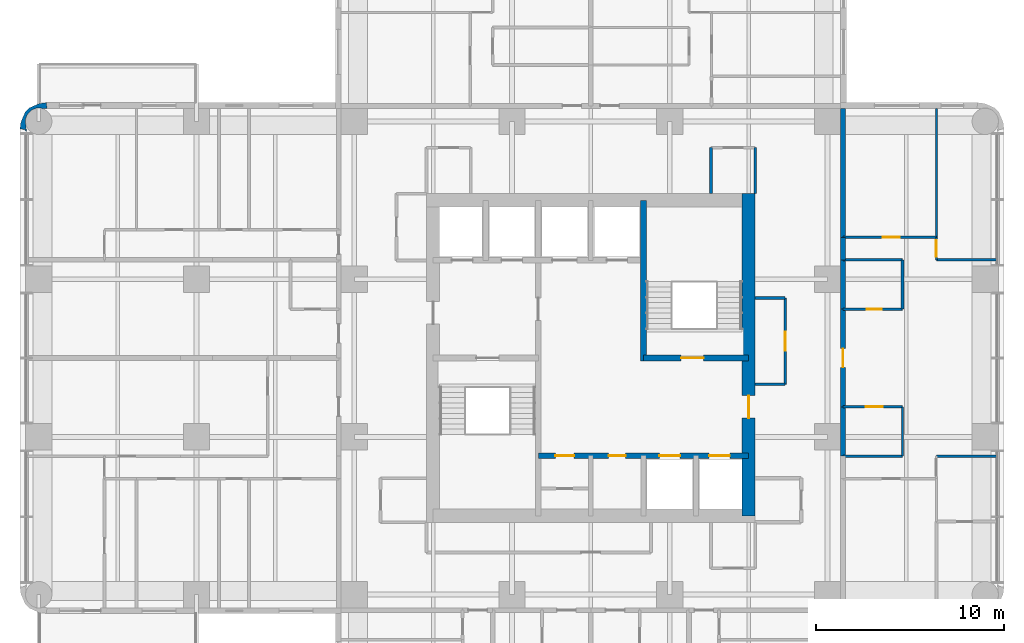
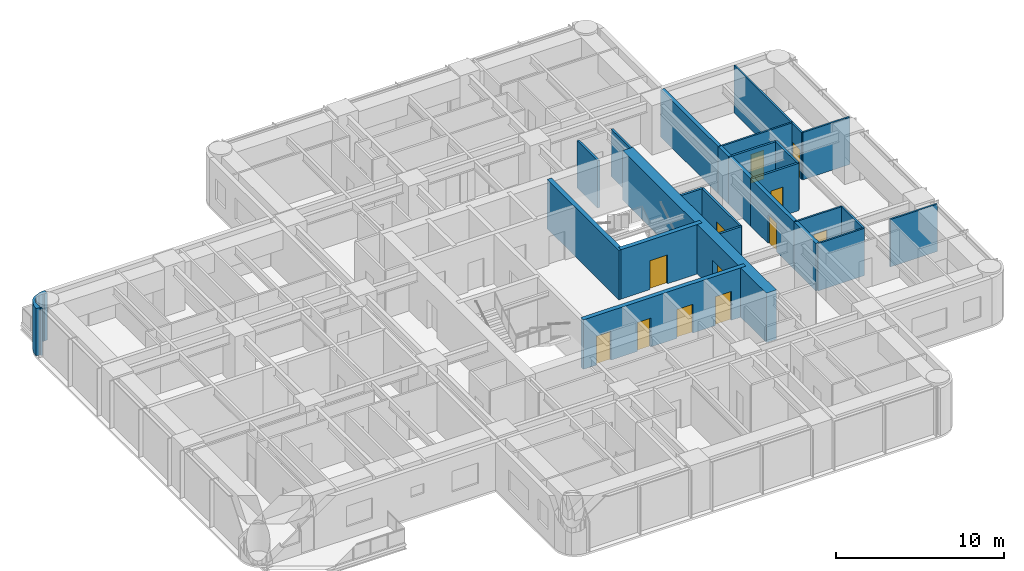
# One storey, part 8 of 11: 26 walls, 12 doors, 12 openings.
"""IFC4 building model written with IfcOpenShell, lengths in metres."""

import ifcopenshell
import ifcopenshell.guid

model = None  # the IFC model being written
_history = None  # IfcOwnerHistory: only IFC2X3 demands one
_inside = {}  # id of a spatial element -> (the spatial element, [elements in it])
_under = {}  # id of a project, library or spatial element -> (it, [spatial elements below it])
_declared = {}  # id of a project -> (the project, [libraries it declares])
_typed = {}  # id of a type object -> (the type object, [elements of that type])
_made_of = {}  # id of a material, layer set ... -> (it, [elements and type objects made of it])


def new_model(schema):
    """Start an empty IFC model of exactly this schema.

    Asked for "IFC4X3", IfcOpenShell would pick the latest addendum, in which some entities
    have other attributes; the version numbers below select the first issue.
    IFC2X3 requires an IfcOwnerHistory on every rooted entity: one is made here for all.
    """
    global model, _history
    if schema == "IFC4X3":
        model = ifcopenshell.file(schema_version=(4, 3, 0, 0))
    else:
        model = ifcopenshell.file(schema=schema)
    _inside.clear()
    _under.clear()
    _declared.clear()
    _typed.clear()
    _made_of.clear()
    _history = None
    if model.schema == "IFC2X3":
        org = make("IfcOrganization", Name="unknown")
        user = make(
            "IfcPersonAndOrganization",
            ThePerson=make("IfcPerson", FamilyName="unknown"),
            TheOrganization=org,
        )
        app = make(
            "IfcApplication",
            ApplicationDeveloper=org,
            Version="unknown",
            ApplicationFullName="unknown",
            ApplicationIdentifier="unknown",
        )
        _history = make(
            "IfcOwnerHistory",
            OwningUser=user,
            OwningApplication=app,
            ChangeAction="ADDED",
            CreationDate=0,
        )
    return model


def make(cls, **values):
    """One entity of the class cls with the attributes given. An attribute that is None is left unset."""
    return model.create_entity(
        cls, **{name: value for name, value in values.items() if value is not None}
    )


def rooted(cls, **values):
    """An entity with a GlobalId (a new one), such as an element, a storey or a relation."""
    return make(cls, GlobalId=ifcopenshell.guid.new(), OwnerHistory=_history, **values)


def si_unit(unit_type, name, prefix=None):
    """IfcSIUnit, for example si_unit("LENGTHUNIT", "METRE", prefix="MILLI")."""
    return make("IfcSIUnit", UnitType=unit_type, Prefix=prefix, Name=name)


def assignment(units):
    """IfcUnitAssignment: the units of a project."""
    return None if units is None else make("IfcUnitAssignment", Units=units)


def point(xyz):
    """IfcCartesianPoint."""
    return None if xyz is None else make("IfcCartesianPoint", Coordinates=xyz)


def direction(xyz):
    """IfcDirection."""
    return None if xyz is None else make("IfcDirection", DirectionRatios=xyz)


def frame(location, z_axis=None, x_axis=None):
    """IfcAxis2Placement3D, a coordinate frame: its origin and axes. An axis left out is left unset."""
    return make(
        "IfcAxis2Placement3D",
        Location=point(location),
        Axis=direction(z_axis),
        RefDirection=direction(x_axis),
    )


def frame_2d(location, x_axis=None):
    """IfcAxis2Placement2D, a coordinate frame in the plane: its origin and x axis."""
    return make(
        "IfcAxis2Placement2D", Location=point(location), RefDirection=direction(x_axis)
    )


def origin():
    """The frame at (0, 0, 0) with its axes left unset."""
    return frame((0.0, 0.0, 0.0))


def place(relative_to, where):
    """IfcLocalPlacement: puts the frame where relative to a parent placement (None: the world)."""
    return make(
        "IfcLocalPlacement", PlacementRelTo=relative_to, RelativePlacement=where
    )


def context(
    kind, dimensions, precision=None, world=None, true_north=None, identifier=None
):
    """IfcGeometricRepresentationContext, for example the 3D "Model" context."""
    return make(
        "IfcGeometricRepresentationContext",
        ContextIdentifier=identifier,
        ContextType=kind,
        CoordinateSpaceDimension=dimensions,
        Precision=precision,
        WorldCoordinateSystem=world,
        TrueNorth=true_north,
    )


def subcontext(parent, identifier, kind, view, scale=None):
    """IfcGeometricRepresentationSubContext, for example "Body" below "Model"."""
    return make(
        "IfcGeometricRepresentationSubContext",
        ContextIdentifier=identifier,
        ContextType=kind,
        ParentContext=parent,
        TargetScale=scale,
        TargetView=view,
    )


def project(units=None, contexts=None):
    """IfcProject with its units and contexts."""
    return rooted(
        "IfcProject",
        Name="project",
        RepresentationContexts=contexts,
        UnitsInContext=assignment(units),
    )


def spatial(cls, under=None, at=None, **own):
    """A site, building, storey or space (cls), placed at a placement, below another one or the project."""
    s = rooted(cls, ObjectPlacement=at, **own)
    if under is not None:
        _under.setdefault(under.id(), (under, []))[1].append(s)
    return s


def polyline(points):
    """IfcPolyline through the points."""
    return make("IfcPolyline", Points=[point(p) for p in points])


def profile(cls, at=None, kind="AREA", **sizes):
    """A parametric profile (cls). Its sizes go by their IFC names, for example OverallWidth=200.0."""
    return make(cls, ProfileType=kind, Position=at, **sizes)


def rectangle(**sizes):
    """IfcRectangleProfileDef."""
    return profile("IfcRectangleProfileDef", **sizes)


def outline(outer, holes=None, kind="AREA"):
    """IfcArbitraryClosedProfileDef: a profile drawn as a closed curve; with holes, ...WithVoids."""
    if holes is None:
        return make("IfcArbitraryClosedProfileDef", ProfileType=kind, OuterCurve=outer)
    return make(
        "IfcArbitraryProfileDefWithVoids",
        ProfileType=kind,
        OuterCurve=outer,
        InnerCurves=holes,
    )


def extrude(swept, where, along, depth):
    """IfcExtrudedAreaSolid: the profile swept, set in the frame where, extruded along a direction by depth."""
    return make(
        "IfcExtrudedAreaSolid",
        SweptArea=swept,
        Position=where,
        ExtrudedDirection=direction(along),
        Depth=depth,
    )


def shape(context_of_items, identifier, shape_type, items):
    """IfcShapeRepresentation: the items that make up one representation, for example the "Body"."""
    return make(
        "IfcShapeRepresentation",
        ContextOfItems=context_of_items,
        RepresentationIdentifier=identifier,
        RepresentationType=shape_type,
        Items=items,
    )


def material(Name=None, Category=None):
    """IfcMaterial."""
    return make("IfcMaterial", Name=Name, Category=Category)


def layer(
    of_material, thickness, ventilated=None, Name=None, Category=None, Priority=None
):
    """IfcMaterialLayer: one layer of a wall or slab, of a material (None: an air gap)."""
    return make(
        "IfcMaterialLayer",
        Material=of_material,
        LayerThickness=thickness,
        IsVentilated=ventilated,
        Name=Name,
        Category=Category,
        Priority=Priority,
    )


def layer_set(layers, Name=None):
    """IfcMaterialLayerSet."""
    return make("IfcMaterialLayerSet", MaterialLayers=layers, LayerSetName=Name)


def made_of(thing, what):
    """Note that an element or type object is made of a material, layer set ...; save() writes the relation."""
    if what is not None:
        _made_of.setdefault(what.id(), (what, []))[1].append(thing)
    return thing


def type_object(cls, material=None, **own):
    """A type object (cls), such as IfcWallType, which elements share."""
    return made_of(rooted(cls, **own), material)


def element(
    cls,
    number,
    at=None,
    inside=None,
    cuts=None,
    type_object=None,
    material=None,
    context=None,
    identifier="Body",
    shape_type=None,
    held_by="IfcProductDefinitionShape",
    body=None,
    shapes=None,
    **own,
):
    """One element of the class cls, such as IfcWall. Its Tag is "e" and its number.

    at: its placement. inside: the storey or other place that contains it. cuts: it is an
    opening in that element (IfcRelVoidsElement). A single representation is given by context,
    identifier, shape_type and body (its items); several are given by shapes. held_by: the class
    of the entity that holds the representations. save() writes the other relations.
    """
    e = rooted(cls, Tag="e%d" % number, ObjectPlacement=at, **own)
    if body is not None:
        shapes = [shape(context, identifier, shape_type, body)]
    if shapes is not None:
        e.Representation = make(held_by, Representations=shapes)
    if inside is not None:
        _inside.setdefault(inside.id(), (inside, []))[1].append(e)
    if cuts is not None:
        rooted(
            "IfcRelVoidsElement", RelatingBuildingElement=cuts, RelatedOpeningElement=e
        )
    if type_object is not None:
        _typed.setdefault(type_object.id(), (type_object, []))[1].append(e)
    return made_of(e, material)


def fill(opening, filler):
    """IfcRelFillsElement: the door or window that sits in an opening."""
    return rooted(
        "IfcRelFillsElement",
        RelatingOpeningElement=opening,
        RelatedBuildingElement=filler,
    )


def aggregate(whole, parts):
    """IfcRelAggregates: a whole, such as a stair, and the parts it consists of."""
    return rooted("IfcRelAggregates", RelatingObject=whole, RelatedObjects=parts)


def save(model, path):
    """Write the relations noted so far, then the file.

    IfcRelAggregates (storeys below a building ...), IfcRelContainedInSpatialStructure (elements
    in a storey), IfcRelDefinesByType, IfcRelAssociatesMaterial and IfcRelDeclares: one each for
    every whole, place, type object, material and project.
    """
    for whole, parts in _under.values():
        aggregate(whole, parts)
    for where, things in _inside.values():
        rooted(
            "IfcRelContainedInSpatialStructure",
            RelatedElements=things,
            RelatingStructure=where,
        )
    for kind, things in _typed.values():
        rooted("IfcRelDefinesByType", RelatedObjects=things, RelatingType=kind)
    for what, things in _made_of.values():
        rooted("IfcRelAssociatesMaterial", RelatedObjects=things, RelatingMaterial=what)
    for by, libraries in _declared.values():
        rooted("IfcRelDeclares", RelatingContext=by, RelatedDefinitions=libraries)
    model.write(path)


model = new_model("IFC4")

# Units and contexts
model_context = context("Model", 3, precision=1e-05, world=origin(), true_north=direction((0.0, 1.0)))
body_context = subcontext(model_context, "Body", "Model", "MODEL_VIEW")
ifc_project = project(units=[si_unit("LENGTHUNIT", "METRE"), si_unit("AREAUNIT", "SQUARE_METRE"), si_unit("VOLUMEUNIT", "CUBIC_METRE"), si_unit("PLANEANGLEUNIT", "RADIAN"), si_unit("MASSUNIT", "GRAM", prefix="KILO")], contexts=[model_context])

# Site, building, storey
site_placement = place(None, origin())
site = spatial("IfcSite", under=ifc_project, at=site_placement, CompositionType="ELEMENT")
building_placement = place(site_placement, origin())
building = spatial("IfcBuilding", under=site, at=building_placement, Name="Torre Alcanfor", CompositionType="ELEMENT")
storey_placement = place(building_placement, frame((0.0, 0.0, 233.699951171875)))
storey = spatial("IfcBuildingStorey", under=building, at=storey_placement, Name="L61", CompositionType="ELEMENT", Elevation=233.699951171875)

# Wall, opening, door
ifc_material_1 = material(Name="Concrete block masonry, hollow blocks NMX-C-404 9 MPa", Category="masonry")
ifc_layer_1 = layer(ifc_material_1, 0.25)
ifc_layer_set_1 = layer_set([ifc_layer_1], Name="Apartment entrance wall 250 EI 60")
wall_type_1 = type_object("IfcWallType", Name="Apartment entrance wall 250 EI 60", PredefinedType="PARTITIONING", material=ifc_layer_set_1)
wall_1_placement = place(storey_placement, frame((42.824951171875, 32.0, 0.0), z_axis=(0.0, 0.0, 1.0), x_axis=(0.0, -1.0, 0.0)))
wall_1 = element("IfcWall", 1, at=wall_1_placement, inside=storey, type_object=wall_type_1, Name="Partition L61-CORR / L61-EX-ZAG", PredefinedType="PARTITIONING", context=body_context, shape_type="SweptSolid", body=[
    extrude(rectangle(XDim=5.199951171875, YDim=0.25, at=frame_2d((2.60009765625, 0.0))), origin(), (0.0, 0.0, 1.0), 3.449951171875),
])
opening_1_placement = place(wall_1_placement, frame((2.10009765625, 0.0, 0.0)))
opening_1 = element("IfcOpeningElement", 2, at=opening_1_placement, cuts=wall_1, Name="Opening D-A1", PredefinedType="OPENING", context=body_context, shape_type="SweptSolid", body=[
    extrude(rectangle(XDim=1.0, YDim=2.10009765625, at=frame_2d((0.5, 1.050048828125))), frame((0.0, 0.135009765625, 0.0), z_axis=(0.0, -1.0, 0.0), x_axis=(1.0, 0.0, 0.0)), (0.0, 0.0, 1.0), 0.27001953125),
])
ifc_material_2 = material(Name="Galvanised steel sheet ASTM A653", Category="steel")
door_type_1 = type_object("IfcDoorType", Name="Apartment entrance door FD60 1000x2100", OperationType="SINGLE_SWING_LEFT", PredefinedType="DOOR", material=ifc_material_2)
door_1_placement = place(opening_1_placement, origin())
door_1 = element("IfcDoor", 3, at=door_1_placement, inside=storey, type_object=door_type_1, Name="Apartment entrance L61-EX", OperationType="SINGLE_SWING_LEFT", OverallHeight=2.10009765625, OverallWidth=1.0, PredefinedType="DOOR", context=body_context, shape_type="SweptSolid", body=[
    extrude(rectangle(XDim=1.0, YDim=2.10009765625, at=frame_2d((0.5, 1.050048828125))), frame((0.0, 0.02490234375, 0.0), z_axis=(0.0, -1.0, 0.0), x_axis=(1.0, 0.0, 0.0)), (0.0, 0.0, 1.0), 0.050048828125),
])
fill(opening_1, door_1)

# Walls
wall_2_placement = place(storey_placement, frame((42.824951171875, 34.62890625, 0.0), z_axis=(0.0, 0.0, 1.0), x_axis=(0.0, -1.0, 0.0)))
element("IfcWall", 4, at=wall_2_placement, inside=storey, type_object=wall_type_1, Name="Partition L61-CORR / L61-EX-BATH2", PredefinedType="PARTITIONING", context=body_context, shape_type="SweptSolid", body=[
    extrude(rectangle(XDim=2.62890625, YDim=0.25, at=frame_2d((1.314453125, 0.0))), origin(), (0.0, 0.0, 1.0), 3.449951171875),
])
wall_3_placement = place(storey_placement, frame((42.824951171875, 26.800048828125, 0.0), z_axis=(0.0, 0.0, 1.0), x_axis=(0.0, -1.0, 0.0)))
element("IfcWall", 5, at=wall_3_placement, inside=storey, type_object=wall_type_1, Name="Partition L61-CORR / L61-EX-KITCHEN", PredefinedType="PARTITIONING", context=body_context, shape_type="SweptSolid", body=[
    extrude(rectangle(XDim=2.629150390625, YDim=0.25, at=frame_2d((1.314453125, 0.0))), origin(), (0.0, 0.0, 1.0), 3.449951171875),
])
wall_4_placement = place(storey_placement, frame((42.824951171875, 35.8291015625, 0.0), z_axis=(0.0, 0.0, 1.0), x_axis=(0.0, -1.0, 0.0)))
element("IfcWall", 6, at=wall_4_placement, inside=storey, type_object=wall_type_1, Name="Partition L61-CORR / L61-EX-LIVING", PredefinedType="PARTITIONING", context=body_context, shape_type="SweptSolid", body=[
    extrude(rectangle(XDim=1.2001953125, YDim=0.25, at=frame_2d((0.60009765625, 0.0))), origin(), (0.0, 0.0, 1.0), 3.449951171875),
])
wall_5_placement = place(storey_placement, frame((42.824951171875, 42.699951171875, 0.0), z_axis=(0.0, 0.0, 1.0), x_axis=(0.0, -1.0, 0.0)))
element("IfcWall", 7, at=wall_5_placement, inside=storey, type_object=wall_type_1, Name="Partition L61-CORR / L61-EX-BED2", PredefinedType="PARTITIONING", context=body_context, shape_type="SweptSolid", body=[
    extrude(rectangle(XDim=6.870849609375, YDim=0.25, at=frame_2d((3.435546875, 0.0))), origin(), (0.0, 0.0, 1.0), 3.449951171875),
])

# Wall, opening, door
ifc_material_3 = material(Name="Gypsum board on steel studs", Category="steel")
ifc_layer_2 = layer(ifc_material_3, 0.1201171875)
ifc_layer_set_2 = layer_set([ifc_layer_2], Name="Apartment partition 120")
wall_type_2 = type_object("IfcWallType", Name="Apartment partition 120", PredefinedType="PARTITIONING", material=ifc_layer_set_2)
wall_6_placement = place(storey_placement, frame((42.824951171875, 26.800048828125, 0.0), z_axis=(0.0, 0.0, 1.0), x_axis=(1.0, 0.0, 0.0)))
wall_6 = element("IfcWall", 8, at=wall_6_placement, inside=storey, type_object=wall_type_2, Name="Partition L61-EX-ZAG / L61-EX-KITCHEN", PredefinedType="PARTITIONING", context=body_context, shape_type="SweptSolid", body=[
    extrude(rectangle(XDim=3.175048828125, YDim=0.1201171875, at=frame_2d((1.58740234375, 0.0))), origin(), (0.0, 0.0, 1.0), 3.449951171875),
])
opening_2_placement = place(wall_6_placement, frame((1.22509765625, 0.0, 0.0)))
opening_2 = element("IfcOpeningElement", 9, at=opening_2_placement, cuts=wall_6, Name="Opening D-R1", PredefinedType="OPENING", context=body_context, shape_type="SweptSolid", body=[
    extrude(rectangle(XDim=0.89990234375, YDim=2.10009765625, at=frame_2d((0.449951171875, 1.050048828125))), frame((0.0, 0.070068359375, 0.0), z_axis=(0.0, -1.0, 0.0), x_axis=(1.0, 0.0, 0.0)), (0.0, 0.0, 1.0), 0.14013671875),
])
ifc_material_4 = material(Name="Timber", Category="wood")
door_type_2 = type_object("IfcDoorType", Name="Internal door 900x2100", OperationType="SINGLE_SWING_LEFT", PredefinedType="DOOR", material=ifc_material_4)
door_2_placement = place(opening_2_placement, frame((0.89990234375, 0.0, 0.0), z_axis=(0.0, 0.0, 1.0), x_axis=(-1.0, 0.0, 0.0)))
door_2 = element("IfcDoor", 10, at=door_2_placement, inside=storey, type_object=door_type_2, Name="Door L61-EX kitchen", OperationType="SINGLE_SWING_LEFT", OverallHeight=2.10009765625, OverallWidth=0.89990234375, PredefinedType="DOOR", context=body_context, shape_type="SweptSolid", body=[
    extrude(rectangle(XDim=0.89990234375, YDim=2.10009765625, at=frame_2d((0.449951171875, 1.050048828125))), frame((0.0, 0.025146484375, 0.0), z_axis=(0.0, -1.0, 0.0), x_axis=(1.0, 0.0, 0.0)), (0.0, 0.0, 1.0), 0.050048828125),
])
fill(opening_2, door_2)

# Walls
wall_7_placement = place(storey_placement, frame((42.824951171875, 24.1708984375, 0.0), z_axis=(0.0, 0.0, 1.0), x_axis=(1.0, 0.0, 0.0)))
element("IfcWall", 11, at=wall_7_placement, inside=storey, type_object=wall_type_2, Name="Partition L61-EX-KITCHEN / L61-EX-LIVING", PredefinedType="PARTITIONING", context=body_context, shape_type="SweptSolid", body=[
    extrude(rectangle(XDim=3.175048828125, YDim=0.1201171875, at=frame_2d((1.58740234375, 0.0))), origin(), (0.0, 0.0, 1.0), 3.449951171875),
])
wall_8_placement = place(storey_placement, frame((46.0, 24.1708984375, 0.0), z_axis=(0.0, 0.0, 1.0), x_axis=(0.0, 1.0, 0.0)))
element("IfcWall", 12, at=wall_8_placement, inside=storey, type_object=wall_type_2, Name="Partition L61-EX-KITCHEN / L61-EX-LIVING", PredefinedType="PARTITIONING", context=body_context, shape_type="SweptSolid", body=[
    extrude(rectangle(XDim=2.629150390625, YDim=0.1201171875, at=frame_2d((1.314453125, 0.0))), origin(), (0.0, 0.0, 1.0), 3.449951171875),
])

# Wall, opening, door
wall_9_placement = place(storey_placement, frame((42.824951171875, 35.8291015625, 0.0), z_axis=(0.0, 0.0, 1.0), x_axis=(1.0, 0.0, 0.0)))
wall_9 = element("IfcWall", 13, at=wall_9_placement, inside=storey, type_object=wall_type_2, Name="Partition L61-EX-LIVING / L61-EX-BED2", PredefinedType="PARTITIONING", context=body_context, shape_type="SweptSolid", body=[
    extrude(rectangle(XDim=4.97509765625, YDim=0.1201171875, at=frame_2d((2.487548828125, 0.0))), origin(), (0.0, 0.0, 1.0), 3.449951171875),
])
opening_3_placement = place(wall_9_placement, frame((2.125, 0.0, 0.0)))
opening_3 = element("IfcOpeningElement", 14, at=opening_3_placement, cuts=wall_9, Name="Opening D-R1", PredefinedType="OPENING", context=body_context, shape_type="SweptSolid", body=[
    extrude(rectangle(XDim=0.89990234375, YDim=2.10009765625, at=frame_2d((0.449951171875, 1.050048828125))), frame((0.0, 0.070068359375, 0.0), z_axis=(0.0, -1.0, 0.0), x_axis=(1.0, 0.0, 0.0)), (0.0, 0.0, 1.0), 0.14013671875),
])
door_3_placement = place(opening_3_placement, origin())
door_3 = element("IfcDoor", 15, at=door_3_placement, inside=storey, type_object=door_type_2, Name="Door L61-EX bed2", OperationType="SINGLE_SWING_RIGHT", OverallHeight=2.10009765625, OverallWidth=0.89990234375, PredefinedType="DOOR", context=body_context, shape_type="SweptSolid", body=[
    extrude(rectangle(XDim=0.89990234375, YDim=2.10009765625, at=frame_2d((0.449951171875, 1.050048828125))), frame((0.0, 0.02490234375, 0.0), z_axis=(0.0, -1.0, 0.0), x_axis=(1.0, 0.0, 0.0)), (0.0, 0.0, 1.0), 0.050048828125),
])
fill(opening_3, door_3)

wall_10_placement = place(storey_placement, frame((47.800048828125, 35.8291015625, 0.0), z_axis=(0.0, 0.0, 1.0), x_axis=(0.0, -1.0, 0.0)))
wall_10 = element("IfcWall", 16, at=wall_10_placement, inside=storey, type_object=wall_type_2, Name="Partition L61-EX-LIVING / L61-EX-MASTER", PredefinedType="PARTITIONING", context=body_context, shape_type="SweptSolid", body=[
    extrude(rectangle(XDim=1.2001953125, YDim=0.1201171875, at=frame_2d((0.60009765625, 0.0))), origin(), (0.0, 0.0, 1.0), 3.449951171875),
])
opening_4_placement = place(wall_10_placement, frame((0.14892578125, 0.0, 0.0)))
opening_4 = element("IfcOpeningElement", 17, at=opening_4_placement, cuts=wall_10, Name="Opening D-R1", PredefinedType="OPENING", context=body_context, shape_type="SweptSolid", body=[
    extrude(rectangle(XDim=0.89990234375, YDim=2.10009765625, at=frame_2d((0.449951171875, 1.050048828125))), frame((0.0, 0.070068359375, 0.0), z_axis=(0.0, -1.0, 0.0), x_axis=(1.0, 0.0, 0.0)), (0.0, 0.0, 1.0), 0.14013671875),
])
door_4_placement = place(opening_4_placement, origin())
door_4 = element("IfcDoor", 18, at=door_4_placement, inside=storey, type_object=door_type_2, Name="Door L61-EX master", OperationType="SINGLE_SWING_RIGHT", OverallHeight=2.10009765625, OverallWidth=0.89990234375, PredefinedType="DOOR", context=body_context, shape_type="SweptSolid", body=[
    extrude(rectangle(XDim=0.89990234375, YDim=2.10009765625, at=frame_2d((0.449951171875, 1.050048828125))), frame((0.0, 0.02490234375, 0.0), z_axis=(0.0, -1.0, 0.0), x_axis=(1.0, 0.0, 0.0)), (0.0, 0.0, 1.0), 0.050048828125),
])
fill(opening_4, door_4)

# Walls
for number, where, z_axis, x_axis, name in (
    (19, (47.800048828125, 34.62890625, 0.0), (0.0, 0.0, 1.0), (1.0, 0.0, 0.0), "Partition L61-EX-LIVING / L61-EX-MASTER"),
    (20, (51.050048828125, 24.1708984375, 0.0), (0.0, 0.0, 1.0), (-1.0, 0.0, 0.0), "Partition L61-EX-LIVING / L61-EX-BED1"),
):
    element("IfcWall", number, at=place(storey_placement, frame(where, z_axis=z_axis, x_axis=x_axis)), inside=storey, type_object=wall_type_2, Name=name, PredefinedType="PARTITIONING", context=body_context, shape_type="SweptSolid", body=[
        extrude(rectangle(XDim=3.25, YDim=0.1201171875, at=frame_2d((1.625, 0.0))), origin(), (0.0, 0.0, 1.0), 3.449951171875),
    ])
wall_11_placement = place(storey_placement, frame((47.800048828125, 35.8291015625, 0.0), z_axis=(0.0, 0.0, 1.0), x_axis=(0.0, 1.0, 0.0)))
element("IfcWall", 21, at=wall_11_placement, inside=storey, type_object=wall_type_2, Name="Partition L61-EX-BED2 / L61-EX-MASTER", PredefinedType="PARTITIONING", context=body_context, shape_type="SweptSolid", body=[
    extrude(rectangle(XDim=6.870849609375, YDim=0.1201171875, at=frame_2d((3.435546875, 0.0))), origin(), (0.0, 0.0, 1.0), 3.449951171875),
])

# Wall, openings, doors
ifc_material_5 = material(Name="Concrete f'c 70 MPa", Category="concrete")
ifc_layer_3 = layer(ifc_material_5, 0.300048828125)
ifc_layer_set_3 = layer_set([ifc_layer_3], Name="Core inner wall 300 f'c70")
wall_type_3 = type_object("IfcWallType", Name="Core inner wall 300 f'c70", PredefinedType="SHEAR", material=ifc_layer_set_3)
wall_12_placement = place(storey_placement, frame((26.60009765625, 24.199951171875, 0.0), z_axis=(0.0, 0.0, 1.0), x_axis=(1.0, 0.0, 0.0)))
wall_12 = element("IfcWall", 22, at=wall_12_placement, inside=storey, type_object=wall_type_3, Name="Core wall Y242 L61", PredefinedType="SHEAR", context=body_context, shape_type="SweptSolid", body=[
    extrude(rectangle(XDim=11.199951171875, YDim=0.300048828125, at=frame_2d((5.60009765625, 0.0))), origin(), (0.0, 0.0, 1.0), 3.60009765625),
])
opening_5_placement = place(wall_12_placement, frame((0.91259765625, 0.0, 0.0)))
opening_5 = element("IfcOpeningElement", 23, at=opening_5_placement, cuts=wall_12, Name="Opening D-K1", PredefinedType="OPENING", context=body_context, shape_type="SweptSolid", body=[
    extrude(rectangle(XDim=1.0, YDim=2.10009765625, at=frame_2d((0.5, 1.050048828125))), frame((0.0, 0.159912109375, 0.0), z_axis=(0.0, -1.0, 0.0), x_axis=(1.0, 0.0, 0.0)), (0.0, 0.0, 1.0), 0.320068359375),
])
opening_6_placement = place(wall_12_placement, frame((3.75, 0.0, 0.0)))
opening_6 = element("IfcOpeningElement", 24, at=opening_6_placement, cuts=wall_12, Name="Opening D-Q1", PredefinedType="OPENING", context=body_context, shape_type="SweptSolid", body=[
    extrude(rectangle(XDim=0.89990234375, YDim=2.10009765625, at=frame_2d((0.449951171875, 1.050048828125))), frame((0.0, 0.159912109375, 0.0), z_axis=(0.0, -1.0, 0.0), x_axis=(1.0, 0.0, 0.0)), (0.0, 0.0, 1.0), 0.320068359375),
])
opening_7_placement = place(wall_12_placement, frame((6.449951171875, 0.0, 0.0)))
opening_7 = element("IfcOpeningElement", 25, at=opening_7_placement, cuts=wall_12, Name="Opening LD1", PredefinedType="OPENING", context=body_context, shape_type="SweptSolid", body=[
    extrude(rectangle(XDim=1.10009765625, YDim=2.10009765625, at=frame_2d((0.550048828125, 1.050048828125))), frame((0.0, 0.159912109375, 0.0), z_axis=(0.0, -1.0, 0.0), x_axis=(1.0, 0.0, 0.0)), (0.0, 0.0, 1.0), 0.320068359375),
])
opening_8_placement = place(wall_12_placement, frame((9.10009765625, 0.0, 0.0)))
opening_8 = element("IfcOpeningElement", 26, at=opening_8_placement, cuts=wall_12, Name="Opening LD1", PredefinedType="OPENING", context=body_context, shape_type="SweptSolid", body=[
    extrude(rectangle(XDim=1.10009765625, YDim=2.10009765625, at=frame_2d((0.550048828125, 1.050048828125))), frame((0.0, 0.159912109375, 0.0), z_axis=(0.0, -1.0, 0.0), x_axis=(1.0, 0.0, 0.0)), (0.0, 0.0, 1.0), 0.320068359375),
])
ifc_material_6 = material(Name="Galvanised steel sheet ASTM A653", Category="steel")
door_type_3 = type_object("IfcDoorType", Name="Core room door FD60 1000x2100", OperationType="SINGLE_SWING_LEFT", PredefinedType="DOOR", material=ifc_material_6)
door_5_placement = place(opening_5_placement, frame((1.0, 0.0, 0.0), z_axis=(0.0, 0.0, 1.0), x_axis=(-1.0, 0.0, 0.0)))
door_5 = element("IfcDoor", 27, at=door_5_placement, inside=storey, type_object=door_type_3, Name="Cleaners' store door L61", OperationType="SINGLE_SWING_RIGHT", OverallHeight=2.10009765625, OverallWidth=1.0, PredefinedType="DOOR", context=body_context, shape_type="SweptSolid", body=[
    extrude(rectangle(XDim=1.0, YDim=2.10009765625, at=frame_2d((0.5, 1.050048828125))), frame((0.0, 0.025146484375, 0.0), z_axis=(0.0, -1.0, 0.0), x_axis=(1.0, 0.0, 0.0)), (0.0, 0.0, 1.0), 0.050048828125),
])
fill(opening_5, door_5)
ifc_material_7 = material(Name="Galvanised steel sheet ASTM A653", Category="steel")
door_type_4 = type_object("IfcDoorType", Name="Lift landing door 1100x2100", OperationType="DOUBLE_DOOR_SLIDING", PredefinedType="DOOR", material=ifc_material_7)
door_6_placement = place(opening_7_placement, origin())
door_6 = element("IfcDoor", 28, at=door_6_placement, inside=storey, type_object=door_type_4, Name="Lift landing door PA3 L61", OperationType="DOUBLE_DOOR_SLIDING", OverallHeight=2.10009765625, OverallWidth=1.10009765625, PredefinedType="DOOR", context=body_context, shape_type="SweptSolid", body=[
    extrude(rectangle(XDim=1.10009765625, YDim=2.10009765625, at=frame_2d((0.550048828125, 1.050048828125))), frame((0.0, 0.02490234375, 0.0), z_axis=(0.0, -1.0, 0.0), x_axis=(1.0, 0.0, 0.0)), (0.0, 0.0, 1.0), 0.050048828125),
])
fill(opening_7, door_6)
door_7_placement = place(opening_8_placement, origin())
door_7 = element("IfcDoor", 29, at=door_7_placement, inside=storey, type_object=door_type_4, Name="Lift landing door PA4 L61", OperationType="DOUBLE_DOOR_SLIDING", OverallHeight=2.10009765625, OverallWidth=1.10009765625, PredefinedType="DOOR", context=body_context, shape_type="SweptSolid", body=[
    extrude(rectangle(XDim=1.10009765625, YDim=2.10009765625, at=frame_2d((0.550048828125, 1.050048828125))), frame((0.0, 0.02490234375, 0.0), z_axis=(0.0, -1.0, 0.0), x_axis=(1.0, 0.0, 0.0)), (0.0, 0.0, 1.0), 0.050048828125),
])
fill(opening_8, door_7)
ifc_material_8 = material(Name="Galvanised steel sheet ASTM A653", Category="steel")
door_type_5 = type_object("IfcDoorType", Name="Riser access door FD120 900x2100", OperationType="SINGLE_SWING_LEFT", PredefinedType="DOOR", material=ifc_material_8)
door_8_placement = place(opening_6_placement, frame((0.89990234375, 0.0, 0.0), z_axis=(0.0, 0.0, 1.0), x_axis=(-1.0, 0.0, 0.0)))
door_8 = element("IfcDoor", 30, at=door_8_placement, inside=storey, type_object=door_type_5, Name="Riser door L61", OperationType="SINGLE_SWING_RIGHT", OverallHeight=2.10009765625, OverallWidth=0.89990234375, PredefinedType="DOOR", context=body_context, shape_type="SweptSolid", body=[
    extrude(rectangle(XDim=0.89990234375, YDim=2.10009765625, at=frame_2d((0.449951171875, 1.050048828125))), frame((0.0, 0.025146484375, 0.0), z_axis=(0.0, -1.0, 0.0), x_axis=(1.0, 0.0, 0.0)), (0.0, 0.0, 1.0), 0.050048828125),
])
fill(opening_6, door_8)

# Wall
wall_13_placement = place(storey_placement, frame((32.199951171875, 29.25, 0.0), z_axis=(0.0, 0.0, 1.0), x_axis=(0.0, 1.0, 0.0)))
element("IfcWall", 31, at=wall_13_placement, inside=storey, type_object=wall_type_3, Name="Core wall X322N L61", PredefinedType="SHEAR", context=body_context, shape_type="SweptSolid", body=[
    extrude(rectangle(XDim=8.550048828125, YDim=0.300048828125, at=frame_2d((4.27490234375, 0.0))), origin(), (0.0, 0.0, 1.0), 3.60009765625),
])

# Wall, opening, door
wall_14_placement = place(storey_placement, frame((32.199951171875, 29.39990234375, 0.0), z_axis=(0.0, 0.0, 1.0), x_axis=(1.0, 0.0, 0.0)))
wall_14 = element("IfcWall", 32, at=wall_14_placement, inside=storey, type_object=wall_type_3, Name="Core wall Y294E L61", PredefinedType="SHEAR", context=body_context, shape_type="SweptSolid", body=[
    extrude(rectangle(XDim=5.60009765625, YDim=0.300048828125, at=frame_2d((2.800048828125, 0.0))), origin(), (0.0, 0.0, 1.0), 3.60009765625),
])
opening_9_placement = place(wall_14_placement, frame((2.0, 0.0, 0.0)))
opening_9 = element("IfcOpeningElement", 33, at=opening_9_placement, cuts=wall_14, Name="Opening D-S2", PredefinedType="OPENING", context=body_context, shape_type="SweptSolid", body=[
    extrude(rectangle(XDim=1.199951171875, YDim=2.10009765625, at=frame_2d((0.60009765625, 1.050048828125))), frame((0.0, 0.159912109375, 0.0), z_axis=(0.0, -1.0, 0.0), x_axis=(1.0, 0.0, 0.0)), (0.0, 0.0, 1.0), 0.320068359375),
])
ifc_material_9 = material(Name="Galvanised steel sheet ASTM A653", Category="steel")
door_type_6 = type_object("IfcDoorType", Name="Stair enclosure door FD120 1200x2100", OperationType="SINGLE_SWING_LEFT", PredefinedType="DOOR", material=ifc_material_9)
door_9_placement = place(opening_9_placement, origin())
door_9 = element("IfcDoor", 34, at=door_9_placement, inside=storey, type_object=door_type_6, Name="Stair S2 door L61", OperationType="SINGLE_SWING_LEFT", OverallHeight=2.10009765625, OverallWidth=1.199951171875, PredefinedType="DOOR", context=body_context, shape_type="SweptSolid", body=[
    extrude(rectangle(XDim=1.199951171875, YDim=2.10009765625, at=frame_2d((0.60009765625, 1.050048828125))), frame((0.0, 0.02490234375, 0.0), z_axis=(0.0, -1.0, 0.0), x_axis=(1.0, 0.0, 0.0)), (0.0, 0.0, 1.0), 0.050048828125),
])
fill(opening_9, door_9)

ifc_material_10 = material(Name="Concrete f'c 70 MPa", Category="concrete")
ifc_layer_4 = layer(ifc_material_10, 0.699951171875)
ifc_layer_set_4 = layer_set([ifc_layer_4], Name="Core wall 700 f'c70")
wall_type_4 = type_object("IfcWallType", Name="Core wall 700 f'c70", PredefinedType="SHEAR", material=ifc_layer_set_4)
wall_15_placement = place(storey_placement, frame((37.800048828125, 21.0, 0.0), z_axis=(0.0, 0.0, 1.0), x_axis=(0.0, 1.0, 0.0)))
wall_15 = element("IfcWall", 35, at=wall_15_placement, inside=storey, type_object=wall_type_4, Name="Core wall OUT-E L61", PredefinedType="SHEAR", context=body_context, shape_type="SweptSolid", body=[
    extrude(rectangle(XDim=17.14990234375, YDim=0.699951171875, at=frame_2d((8.574951171875, 0.0))), origin(), (0.0, 0.0, 1.0), 3.60009765625),
])
opening_10_placement = place(wall_15_placement, frame((5.199951171875, 0.0, 0.0)))
opening_10 = element("IfcOpeningElement", 36, at=opening_10_placement, cuts=wall_15, Name="Opening D-L1", PredefinedType="OPENING", context=body_context, shape_type="SweptSolid", body=[
    extrude(rectangle(XDim=1.199951171875, YDim=2.10009765625, at=frame_2d((0.60009765625, 1.050048828125))), frame((0.0, 0.35986328125, 0.0), z_axis=(0.0, -1.0, 0.0), x_axis=(1.0, 0.0, 0.0)), (0.0, 0.0, 1.0), 0.719970703125),
])
ifc_material_11 = material(Name="Galvanised steel sheet ASTM A653", Category="steel")
door_type_7 = type_object("IfcDoorType", Name="Lobby door FD120 1200x2100", OperationType="SINGLE_SWING_LEFT", PredefinedType="DOOR", material=ifc_material_11)
door_10_placement = place(opening_10_placement, origin())
door_10 = element("IfcDoor", 37, at=door_10_placement, inside=storey, type_object=door_type_7, Name="Lift lobby entrance door L61", OperationType="SINGLE_SWING_LEFT", OverallHeight=2.10009765625, OverallWidth=1.199951171875, PredefinedType="DOOR", context=body_context, shape_type="SweptSolid", body=[
    extrude(rectangle(XDim=1.199951171875, YDim=2.10009765625, at=frame_2d((0.60009765625, 1.050048828125))), frame((0.0, 0.02490234375, 0.0), z_axis=(0.0, -1.0, 0.0), x_axis=(1.0, 0.0, 0.0)), (0.0, 0.0, 1.0), 0.050048828125),
])
fill(opening_10, door_10)

# Walls
ifc_material_12 = material(Name="Concrete block masonry, hollow blocks NMX-C-404 9 MPa", Category="masonry")
ifc_layer_5 = layer(ifc_material_12, 0.14990234375)
ifc_layer_set_5 = layer_set([ifc_layer_5], Name="Residents' room partition 150")
wall_type_5 = type_object("IfcWallType", Name="Residents' room partition 150", PredefinedType="PARTITIONING", material=ifc_layer_set_5)
for number, where, z_axis, x_axis, name in (
    (38, (38.14990234375, 38.14990234375, 0.0), (0.0, 0.0, 1.0), (0.0, 1.0, 0.0), "Partition L61-CORR / L61-G02"),
    (39, (35.800048828125, 40.60009765625, 0.0), (0.0, 0.0, 1.0), (0.0, -1.0, 0.0), "Partition L61-CORR / L61-G02"),
):
    element("IfcWall", number, at=place(storey_placement, frame(where, z_axis=z_axis, x_axis=x_axis)), inside=storey, type_object=wall_type_5, Name=name, PredefinedType="PARTITIONING", context=body_context, shape_type="SweptSolid", body=[
        extrude(rectangle(XDim=2.4501953125, YDim=0.14990234375, at=frame_2d((1.22509765625, 0.0))), origin(), (0.0, 0.0, 1.0), 3.449951171875),
    ])
wall_16_placement = place(storey_placement, frame((38.14990234375, 28.0, 0.0), z_axis=(0.0, 0.0, 1.0), x_axis=(1.0, 0.0, 0.0)))
element("IfcWall", 40, at=wall_16_placement, inside=storey, type_object=wall_type_5, Name="Partition L61-CORR / L61-G04", PredefinedType="PARTITIONING", context=body_context, shape_type="SweptSolid", body=[
    extrude(rectangle(XDim=1.60009765625, YDim=0.14990234375, at=frame_2d((0.800048828125, 0.0))), origin(), (0.0, 0.0, 1.0), 3.449951171875),
])

# Wall, opening, door
wall_17_placement = place(storey_placement, frame((39.75, 28.0, 0.0), z_axis=(0.0, 0.0, 1.0), x_axis=(0.0, 1.0, 0.0)))
wall_17 = element("IfcWall", 41, at=wall_17_placement, inside=storey, type_object=wall_type_5, Name="Partition L61-CORR / L61-G04", PredefinedType="PARTITIONING", context=body_context, shape_type="SweptSolid", body=[
    extrude(rectangle(XDim=4.60009765625, YDim=0.14990234375, at=frame_2d((2.300048828125, 0.0))), origin(), (0.0, 0.0, 1.0), 3.449951171875),
])
opening_11_placement = place(wall_17_placement, frame((1.800048828125, 0.0, 0.0)))
opening_11 = element("IfcOpeningElement", 42, at=opening_11_placement, cuts=wall_17, Name="Opening D-M1", PredefinedType="OPENING", context=body_context, shape_type="SweptSolid", body=[
    extrude(rectangle(XDim=1.0, YDim=2.10009765625, at=frame_2d((0.5, 1.050048828125))), frame((0.0, 0.0849609375, 0.0), z_axis=(0.0, -1.0, 0.0), x_axis=(1.0, 0.0, 0.0)), (0.0, 0.0, 1.0), 0.169921875),
])
ifc_material_13 = material(Name="Timber", Category="wood")
door_type_8 = type_object("IfcDoorType", Name="Residents' room door 1000x2100", OperationType="SINGLE_SWING_LEFT", PredefinedType="DOOR", material=ifc_material_13)
door_11_placement = place(opening_11_placement, origin())
door_11 = element("IfcDoor", 43, at=door_11_placement, inside=storey, type_object=door_type_8, Name="Door L61-G04 cleaners' store", OperationType="SINGLE_SWING_LEFT", OverallHeight=2.10009765625, OverallWidth=1.0, PredefinedType="DOOR", context=body_context, shape_type="SweptSolid", body=[
    extrude(rectangle(XDim=1.0, YDim=2.10009765625, at=frame_2d((0.5, 1.050048828125))), frame((0.0, 0.02490234375, 0.0), z_axis=(0.0, -1.0, 0.0), x_axis=(1.0, 0.0, 0.0)), (0.0, 0.0, 1.0), 0.050048828125),
])
fill(opening_11, door_11)

# Walls
wall_18_placement = place(storey_placement, frame((39.75, 32.60009765625, 0.0), z_axis=(0.0, 0.0, 1.0), x_axis=(-1.0, 0.0, 0.0)))
element("IfcWall", 44, at=wall_18_placement, inside=storey, type_object=wall_type_5, Name="Partition L61-CORR / L61-G04", PredefinedType="PARTITIONING", context=body_context, shape_type="SweptSolid", body=[
    extrude(rectangle(XDim=1.60009765625, YDim=0.14990234375, at=frame_2d((0.800048828125, 0.0))), origin(), (0.0, 0.0, 1.0), 3.449951171875),
])
ifc_material_14 = material(Name="Limestone cladding", Category="masonry")
ifc_layer_6 = layer(ifc_material_14, 0.0400390625, Name="Facing")
ifc_material_15 = material(Name="Ventilated air cavity")
ifc_layer_7 = layer(ifc_material_15, 0.02001953125, ventilated=True, Name="Ventilated joint")
ifc_material_16 = material(Name="Mineral wool insulation", Category="insulation")
ifc_layer_8 = layer(ifc_material_16, 0.10009765625, Name="Insulation")
ifc_material_17 = material(Name="Concrete f'c 35 MPa", Category="concrete")
ifc_layer_9 = layer(ifc_material_17, 0.139892578125, Name="Backing")
ifc_layer_set_6 = layer_set([ifc_layer_6, ifc_layer_7, ifc_layer_8, ifc_layer_9], Name="Rounded corner pier stone-clad 300")
wall_type_6 = type_object("IfcWallType", Name="Rounded corner pier stone-clad 300", PredefinedType="SOLIDWALL", material=ifc_layer_set_6)
wall_19_placement = place(storey_placement, frame((0.289684728, 42.724211819, 0.0), z_axis=(0.0, 0.0, 1.0), x_axis=(-0.898030234854, 0.439933741929, 0.0)))
element("IfcWall", 45, at=wall_19_placement, inside=storey, type_object=wall_type_6, Name="Corner pier L61 13", PredefinedType="SOLIDWALL", context=body_context, shape_type="SweptSolid", body=[
    extrude(outline(polyline([(-0.1451696260029872, -0.04410137667948781), (0.022349775089968618, -0.29615457307685267), (0.3267662274453961, -0.09401161193946184), (0.5684395137438579, 0.1801582341686725), (0.5775438768187978, 0.19875519044837203), (0.6998681881563861, 0.337520421761322), (0.8105897526086489, 0.6609052696654318), (0.798987005723323, 0.8455248862565916), (0.8031915983754734, 0.8657994419976891), (0.7802772818432999, 1.230559659021311), (0.6636401292003462, 1.5768643338748296), (0.426274926498842, 1.4970116570996908), (0.3818262033461368, 1.5361339555879763), (0.27609856791259557, 1.5721508582913652), (0.34924184873618547, 1.4228445619203098), (0.3919947529834039, 1.4437886731693554), (0.4531844604451624, 1.2611683721887113), (0.5096660727895201, 1.2113572307370708), (0.632323380719828, 0.9609786838123349), (0.6499334439144826, 0.6825189735513317), (0.5596785928912745, 0.41891132480525434), (0.37509146330548054, 0.2096805523179385), (0.12471291638074464, 0.0870232443876307), (0.04955403003282338, 0.08228360846554762), (-0.12741072731568104, -0.035401515083730434), (-0.1451696260029872, -0.04410137667948781)])), origin(), (0.0, 0.0, 1.0), 3.449951171875),
])

# Wall, opening, door
ifc_material_18 = material(Name="Cement board on steel studs", Category="steel")
ifc_layer_10 = layer(ifc_material_18, 0.14990234375)
ifc_layer_set_7 = layer_set([ifc_layer_10], Name="Wet area partition 150")
wall_type_7 = type_object("IfcWallType", Name="Wet area partition 150", PredefinedType="PARTITIONING", material=ifc_layer_set_7)
wall_20_placement = place(storey_placement, frame((46.0, 32.0, 0.0), z_axis=(0.0, 0.0, 1.0), x_axis=(-1.0, 0.0, 0.0)))
wall_20 = element("IfcWall", 46, at=wall_20_placement, inside=storey, type_object=wall_type_7, Name="Partition L61-EX-ZAG / L61-EX-BATH2", PredefinedType="PARTITIONING", context=body_context, shape_type="SweptSolid", body=[
    extrude(rectangle(XDim=3.175048828125, YDim=0.14990234375, at=frame_2d((1.58740234375, 0.0))), origin(), (0.0, 0.0, 1.0), 3.449951171875),
])
opening_12_placement = place(wall_20_placement, frame((1.10009765625, 0.0, 0.0)))
opening_12 = element("IfcOpeningElement", 47, at=opening_12_placement, cuts=wall_20, Name="Opening D-R2", PredefinedType="OPENING", context=body_context, shape_type="SweptSolid", body=[
    extrude(rectangle(XDim=0.800048828125, YDim=2.10009765625, at=frame_2d((0.39990234375, 1.050048828125))), frame((0.0, 0.0849609375, 0.0), z_axis=(0.0, -1.0, 0.0), x_axis=(1.0, 0.0, 0.0)), (0.0, 0.0, 1.0), 0.169921875),
])
ifc_material_19 = material(Name="Timber", Category="wood")
door_type_9 = type_object("IfcDoorType", Name="Bathroom door 800x2100", OperationType="SINGLE_SWING_LEFT", PredefinedType="DOOR", material=ifc_material_19)
door_12_placement = place(opening_12_placement, frame((0.800048828125, 0.0, 0.0), z_axis=(0.0, 0.0, 1.0), x_axis=(-1.0, 0.0, 0.0)))
door_12 = element("IfcDoor", 48, at=door_12_placement, inside=storey, type_object=door_type_9, Name="Door L61-EX bath2", OperationType="SINGLE_SWING_RIGHT", OverallHeight=2.10009765625, OverallWidth=0.800048828125, PredefinedType="DOOR", context=body_context, shape_type="SweptSolid", body=[
    extrude(rectangle(XDim=0.800048828125, YDim=2.10009765625, at=frame_2d((0.400146484375, 1.050048828125))), frame((0.0, 0.025146484375, 0.0), z_axis=(0.0, -1.0, 0.0), x_axis=(1.0, 0.0, 0.0)), (0.0, 0.0, 1.0), 0.050048828125),
])
fill(opening_12, door_12)

# Walls
wall_21_placement = place(storey_placement, frame((46.0, 32.0, 0.0), z_axis=(0.0, 0.0, 1.0), x_axis=(0.0, 1.0, 0.0)))
element("IfcWall", 49, at=wall_21_placement, inside=storey, type_object=wall_type_7, Name="Partition L61-EX-BATH2 / L61-EX-LIVING", PredefinedType="PARTITIONING", context=body_context, shape_type="SweptSolid", body=[
    extrude(rectangle(XDim=2.62890625, YDim=0.14990234375, at=frame_2d((1.314453125, 0.0))), origin(), (0.0, 0.0, 1.0), 3.449951171875),
])
wall_22_placement = place(storey_placement, frame((46.0, 34.62890625, 0.0), z_axis=(0.0, 0.0, 1.0), x_axis=(-1.0, 0.0, 0.0)))
element("IfcWall", 50, at=wall_22_placement, inside=storey, type_object=wall_type_7, Name="Partition L61-EX-BATH2 / L61-EX-LIVING", PredefinedType="PARTITIONING", context=body_context, shape_type="SweptSolid", body=[
    extrude(rectangle(XDim=3.175048828125, YDim=0.14990234375, at=frame_2d((1.58740234375, 0.0))), origin(), (0.0, 0.0, 1.0), 3.449951171875),
])

save(model, "model.ifc")
